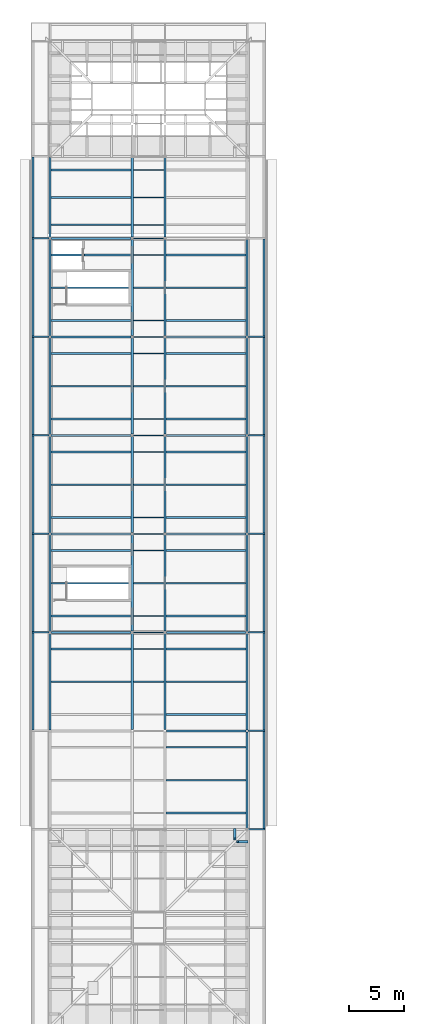
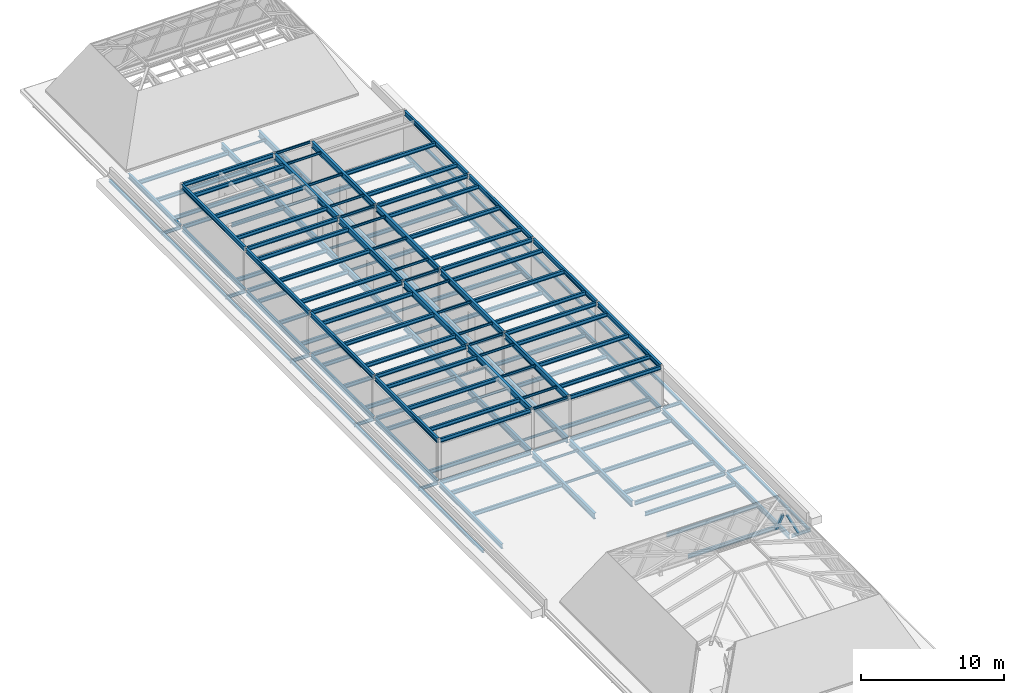
# One storey, part 7 of 29: 177 beams, 2 members.
"""IFC4 building model written with IfcOpenShell, lengths in metres."""

from ifc_helpers import new_model, si_unit, direction, frame, origin, origin_2d, place, context, subcontext, project, spatial, hollow_rectangle, i_section, extrude, material, material_profile, profile_set, type_object, element, save


model = new_model("IFC4")

# Units and contexts
model_context = context("Model", 3, precision=1e-05, world=origin(), true_north=direction((0.0, 1.0)))
body_context = subcontext(model_context, "Body", "Model", "MODEL_VIEW")
ifc_project = project(units=[si_unit("LENGTHUNIT", "METRE"), si_unit("AREAUNIT", "SQUARE_METRE"), si_unit("VOLUMEUNIT", "CUBIC_METRE"), si_unit("PLANEANGLEUNIT", "RADIAN"), si_unit("MASSUNIT", "GRAM", prefix="KILO")], contexts=[model_context])

# Site, building, storey
site_placement = place(None, origin())
site = spatial("IfcSite", under=ifc_project, at=site_placement, CompositionType="ELEMENT")
building_placement = place(site_placement, origin())
building = spatial("IfcBuilding", under=site, at=building_placement, Name="Golden Quay Civic Hall", CompositionType="ELEMENT")
storey_placement = place(building_placement, frame((0.0, 0.0, 27.0)))
storey = spatial("IfcBuildingStorey", under=building, at=storey_placement, Name="L06", CompositionType="ELEMENT", Elevation=27.0)

# Beams
ifc_material_1 = material(Name="Steel S355", Category="steel")
ifc_material_profile_1 = material_profile(ifc_material_1, i_section(OverallWidth=0.199951171875, OverallDepth=0.18994140625, WebThickness=0.006591796875, FlangeThickness=0.010009765625, FilletRadius=0.01806640625, at=origin_2d()), Name="HEA 200")
ifc_profile_set_1 = profile_set([ifc_material_profile_1], Name="Steel S355")
beam_type_1 = type_object("IfcBeamType", Name="Eave edge beam HEA 200", PredefinedType="BEAM", material=ifc_profile_set_1)
for number, where, z_axis, x_axis, name in (
    (1, (-1.550048828125, 18.0673828125, -0.344970703125), (0.0, 1.0, 0.0), (-1.0, 0.0, 0.0), "Eave edge beam HEA 200 L06 4"),
    (2, (-1.550048828125, 27.0673828125, -0.344970703125), (0.0, 1.0, 0.0), (-1.0, 0.0, 0.0), "Eave edge beam HEA 200 L06 5"),
    (3, (-1.550048828125, 36.0673828125, -0.344970703125), (0.0, 1.0, 0.0), (-1.0, 0.0, 0.0), "Eave edge beam HEA 200 L06 6"),
    (4, (-1.550048828125, 45.0673828125, -0.344970703125), (0.0, 1.0, 0.0), (-1.0, 0.0, 0.0), "Eave edge beam HEA 200 L06 7"),
    (5, (-1.550048828125, 54.0673828125, -0.344970703125), (0.0, 1.0, 0.0), (-1.0, 0.0, 0.0), "Eave edge beam HEA 200 L06 8"),
):
    element("IfcBeam", number, at=place(storey_placement, frame(where, z_axis=z_axis, x_axis=x_axis)), inside=storey, type_object=beam_type_1, Name=name, PredefinedType="BEAM", context=body_context, shape_type="SweptSolid", body=[
        extrude(i_section(OverallWidth=0.199951171875, OverallDepth=0.18994140625, WebThickness=0.006591796875, FlangeThickness=0.010009765625, FilletRadius=0.01806640625, at=origin_2d()), origin(), (0.0, 0.0, 1.0), 8.865234375),
    ])
beam_1_placement = place(storey_placement, frame((-1.550048828125, 63.0673828125, -0.344970703125), z_axis=(0.0, 1.0, 0.0), x_axis=(-1.0, 0.0, 0.0)))
element("IfcBeam", 6, at=beam_1_placement, inside=storey, type_object=beam_type_1, Name="Eave edge beam HEA 200 L06 9", PredefinedType="BEAM", context=body_context, shape_type="SweptSolid", body=[
    extrude(i_section(OverallWidth=0.199951171875, OverallDepth=0.18994140625, WebThickness=0.006591796875, FlangeThickness=0.010009765625, FilletRadius=0.01806640625, at=origin_2d()), origin(), (0.0, 0.0, 1.0), 7.365234375),
])
for number, where, z_axis, x_axis, name in (
    (7, (19.550048828125, 9.0673828125, -0.344970703125), (0.0, 1.0, 0.0), (-1.0, 0.0, 0.0), "Eave edge beam HEA 200 L06 17"),
    (8, (19.550048828125, 18.0673828125, -0.344970703125), (0.0, 1.0, 0.0), (-1.0, 0.0, 0.0), "Eave edge beam HEA 200 L06 18"),
    (9, (19.550048828125, 27.0673828125, -0.344970703125), (0.0, 1.0, 0.0), (-1.0, 0.0, 0.0), "Eave edge beam HEA 200 L06 19"),
    (10, (19.550048828125, 36.0673828125, -0.344970703125), (0.0, 1.0, 0.0), (-1.0, 0.0, 0.0), "Eave edge beam HEA 200 L06 20"),
    (11, (19.550048828125, 45.0673828125, -0.344970703125), (0.0, 1.0, 0.0), (-1.0, 0.0, 0.0), "Eave edge beam HEA 200 L06 21"),
    (12, (19.550048828125, 54.0673828125, -0.344970703125), (0.0, 1.0, 0.0), (-1.0, 0.0, 0.0), "Eave edge beam HEA 200 L06 22"),
):
    element("IfcBeam", number, at=place(storey_placement, frame(where, z_axis=z_axis, x_axis=x_axis)), inside=storey, type_object=beam_type_1, Name=name, PredefinedType="BEAM", context=body_context, shape_type="SweptSolid", body=[
        extrude(i_section(OverallWidth=0.199951171875, OverallDepth=0.18994140625, WebThickness=0.006591796875, FlangeThickness=0.010009765625, FilletRadius=0.01806640625, at=origin_2d()), origin(), (0.0, 0.0, 1.0), 8.865234375),
    ])
ifc_material_2 = material(Name="Steel S355", Category="steel")
ifc_material_profile_2 = material_profile(ifc_material_2, i_section(OverallWidth=0.135009765625, OverallDepth=0.27001953125, WebThickness=0.006591796875, FlangeThickness=0.01025390625, FilletRadius=0.014892578125, at=origin_2d()), Name="IPE 270")
ifc_profile_set_2 = profile_set([ifc_material_profile_2], Name="Steel S355")
beam_type_2 = type_object("IfcBeamType", Name="Eave stub IPE 270", PredefinedType="BEAM", material=ifc_profile_set_2)
for number, where, z_axis, x_axis, name in (
    (13, (-0.10009765625, 27.0, -0.385009765625), (-1.0, 0.0, 0.0), (0.0, -1.0, 0.0), "Eave stub IPE 270 L06 5"),
    (14, (-0.10009765625, 36.0, -0.385009765625), (-1.0, 0.0, 0.0), (0.0, -1.0, 0.0), "Eave stub IPE 270 L06 6"),
    (15, (-0.10009765625, 45.0, -0.385009765625), (-1.0, 0.0, 0.0), (0.0, -1.0, 0.0), "Eave stub IPE 270 L06 7"),
    (16, (-0.10009765625, 54.0, -0.385009765625), (-1.0, 0.0, 0.0), (0.0, -1.0, 0.0), "Eave stub IPE 270 L06 8"),
    (17, (-0.10009765625, 63.0, -0.385009765625), (-1.0, 0.0, 0.0), (0.0, -1.0, 0.0), "Eave stub IPE 270 L06 9"),
    (18, (18.10009765625, 9.0, -0.385009765625), (1.0, 0.0, 0.0), (0.0, 1.0, 0.0), "Eave stub IPE 270 L06 19"),
    (19, (18.10009765625, 18.0, -0.385009765625), (1.0, 0.0, 0.0), (0.0, 1.0, 0.0), "Eave stub IPE 270 L06 20"),
    (20, (18.10009765625, 27.0, -0.385009765625), (1.0, 0.0, 0.0), (0.0, 1.0, 0.0), "Eave stub IPE 270 L06 21"),
    (21, (18.10009765625, 36.0, -0.385009765625), (1.0, 0.0, 0.0), (0.0, 1.0, 0.0), "Eave stub IPE 270 L06 22"),
    (22, (18.10009765625, 45.0, -0.385009765625), (1.0, 0.0, 0.0), (0.0, 1.0, 0.0), "Eave stub IPE 270 L06 23"),
    (23, (18.10009765625, 54.0, -0.385009765625), (1.0, 0.0, 0.0), (0.0, 1.0, 0.0), "Eave stub IPE 270 L06 24"),
):
    element("IfcBeam", number, at=place(storey_placement, frame(where, z_axis=z_axis, x_axis=x_axis)), inside=storey, type_object=beam_type_2, Name=name, PredefinedType="BEAM", context=body_context, shape_type="SweptSolid", body=[
        extrude(i_section(OverallWidth=0.135009765625, OverallDepth=0.27001953125, WebThickness=0.006591796875, FlangeThickness=0.01025390625, FilletRadius=0.014892578125, at=origin_2d()), origin(), (0.0, 0.0, 1.0), 1.5498046875),
    ])
ifc_material_3 = material(Name="Steel S355", Category="steel")
ifc_material_profile_3 = material_profile(ifc_material_3, i_section(OverallWidth=0.10009765625, OverallDepth=0.199951171875, WebThickness=0.005615234375, FlangeThickness=0.008544921875, FilletRadius=0.011962890625, at=origin_2d()), Name="IPE 200")
ifc_profile_set_3 = profile_set([ifc_material_profile_3], Name="Steel S355")
beam_type_3 = type_object("IfcBeamType", Name="Steel beam IPE 200", PredefinedType="BEAM", material=ifc_profile_set_3)
for number, where, z_axis, x_axis, name in (
    (24, (7.6201171875, 27.0, -0.35009765625), (1.0, 0.0, 0.0), (0.0, 1.0, 0.0), "Beam S27-7.5"),
    (25, (7.6201171875, 36.0, -0.35009765625), (1.0, 0.0, 0.0), (0.0, 1.0, 0.0), "Beam S36-7.5"),
    (26, (7.6201171875, 45.0, -0.35009765625), (1.0, 0.0, 0.0), (0.0, 1.0, 0.0), "Beam S45-7.5"),
    (27, (7.6201171875, 54.0, -0.35009765625), (1.0, 0.0, 0.0), (0.0, 1.0, 0.0), "Beam S54-7.5"),
    (28, (7.6201171875, 63.0, -0.35009765625), (1.0, 0.0, 0.0), (0.0, 1.0, 0.0), "Beam S63-7.5"),
    (29, (7.6201171875, 27.0, 3.25), (1.0, 0.0, 0.0), (0.0, 1.0, 0.0), "Plant roof tie 27-7.5"),
    (30, (7.6201171875, 36.0, 3.25), (1.0, 0.0, 0.0), (0.0, 1.0, 0.0), "Plant roof tie 36-7.5"),
    (31, (7.6201171875, 45.0, 3.25), (1.0, 0.0, 0.0), (0.0, 1.0, 0.0), "Plant roof tie 45-7.5"),
    (32, (7.6201171875, 54.0, 3.25), (1.0, 0.0, 0.0), (0.0, 1.0, 0.0), "Plant roof tie 54-7.5"),
    (33, (7.6201171875, 63.0, 3.25), (1.0, 0.0, 0.0), (0.0, 1.0, 0.0), "Plant roof tie 63-7.5"),
):
    element("IfcBeam", number, at=place(storey_placement, frame(where, z_axis=z_axis, x_axis=x_axis)), inside=storey, type_object=beam_type_3, Name=name, PredefinedType="BEAM", context=body_context, shape_type="SweptSolid", body=[
        extrude(i_section(OverallWidth=0.10009765625, OverallDepth=0.199951171875, WebThickness=0.005615234375, FlangeThickness=0.008544921875, FilletRadius=0.011962890625, at=origin_2d()), origin(), (0.0, 0.0, 1.0), 2.759765625),
    ])
ifc_material_4 = material(Name="Steel S355", Category="steel")
ifc_material_profile_4 = material_profile(ifc_material_4, i_section(OverallWidth=0.159912109375, OverallDepth=0.330078125, WebThickness=0.007568359375, FlangeThickness=0.011474609375, FilletRadius=0.01806640625, at=origin_2d()), Name="IPE 330")
ifc_profile_set_4 = profile_set([ifc_material_profile_4], Name="Steel S355")
beam_type_4 = type_object("IfcBeamType", Name="Steel beam IPE 330", PredefinedType="BEAM", material=ifc_profile_set_4)
for number, where, z_axis, x_axis, name in (
    (34, (10.6201171875, 18.0, -0.4150390625), (1.0, 0.0, 0.0), (0.0, 1.0, 0.0), "Beam S18-10.5"),
    (35, (0.10009765625, 27.0, -0.4150390625), (1.0, 0.0, 0.0), (0.0, 1.0, 0.0), "Beam S27-0"),
    (36, (10.6201171875, 27.0, -0.4150390625), (1.0, 0.0, 0.0), (0.0, 1.0, 0.0), "Beam S27-10.5"),
    (37, (0.10009765625, 36.0, -0.4150390625), (1.0, 0.0, 0.0), (0.0, 1.0, 0.0), "Beam S36-0"),
    (38, (10.6201171875, 36.0, -0.4150390625), (1.0, 0.0, 0.0), (0.0, 1.0, 0.0), "Beam S36-10.5"),
    (39, (0.10009765625, 45.0, -0.4150390625), (1.0, 0.0, 0.0), (0.0, 1.0, 0.0), "Beam S45-0"),
    (40, (10.6201171875, 45.0, -0.4150390625), (1.0, 0.0, 0.0), (0.0, 1.0, 0.0), "Beam S45-10.5"),
    (41, (0.10009765625, 54.0, -0.4150390625), (1.0, 0.0, 0.0), (0.0, 1.0, 0.0), "Beam S54-0"),
    (42, (10.6201171875, 54.0, -0.4150390625), (1.0, 0.0, 0.0), (0.0, 1.0, 0.0), "Beam S54-10.5"),
    (43, (0.10009765625, 63.0, -0.4150390625), (1.0, 0.0, 0.0), (0.0, 1.0, 0.0), "Beam S63-0"),
    (44, (0.10009765625, 27.0, 3.18505859375), (1.0, 0.0, 0.0), (0.0, 1.0, 0.0), "Plant roof tie 27-0"),
    (45, (10.6201171875, 27.0, 3.18505859375), (1.0, 0.0, 0.0), (0.0, 1.0, 0.0), "Plant roof tie 27-10.5"),
    (46, (0.10009765625, 36.0, 3.18505859375), (1.0, 0.0, 0.0), (0.0, 1.0, 0.0), "Plant roof tie 36-0"),
    (47, (10.6201171875, 36.0, 3.18505859375), (1.0, 0.0, 0.0), (0.0, 1.0, 0.0), "Plant roof tie 36-10.5"),
    (48, (0.10009765625, 45.0, 3.18505859375), (1.0, 0.0, 0.0), (0.0, 1.0, 0.0), "Plant roof tie 45-0"),
    (49, (10.6201171875, 45.0, 3.18505859375), (1.0, 0.0, 0.0), (0.0, 1.0, 0.0), "Plant roof tie 45-10.5"),
    (50, (0.10009765625, 54.0, 3.18505859375), (1.0, 0.0, 0.0), (0.0, 1.0, 0.0), "Plant roof tie 54-0"),
    (51, (10.6201171875, 54.0, 3.18505859375), (1.0, 0.0, 0.0), (0.0, 1.0, 0.0), "Plant roof tie 54-10.5"),
    (52, (0.10009765625, 63.0, 3.18505859375), (1.0, 0.0, 0.0), (0.0, 1.0, 0.0), "Plant roof tie 63-0"),
):
    element("IfcBeam", number, at=place(storey_placement, frame(where, z_axis=z_axis, x_axis=x_axis)), inside=storey, type_object=beam_type_4, Name=name, PredefinedType="BEAM", context=body_context, shape_type="SweptSolid", body=[
        extrude(i_section(OverallWidth=0.159912109375, OverallDepth=0.330078125, WebThickness=0.007568359375, FlangeThickness=0.011474609375, FilletRadius=0.01806640625, at=origin_2d()), origin(), (0.0, 0.0, 1.0), 7.27978515625),
    ])
ifc_material_5 = material(Name="Steel S355", Category="steel")
ifc_material_profile_5 = material_profile(ifc_material_5, i_section(OverallWidth=0.179931640625, OverallDepth=0.39990234375, WebThickness=0.008544921875, FlangeThickness=0.013427734375, FilletRadius=0.02099609375, at=origin_2d()), Name="IPE 400")
ifc_profile_set_5 = profile_set([ifc_material_profile_5], Name="Steel S355")
beam_type_5 = type_object("IfcBeamType", Name="Steel beam IPE 400", PredefinedType="BEAM", material=ifc_profile_set_5)
for number, where, z_axis, x_axis, name in (
    (53, (0.0, 18.094970703125, -0.449951171875), (0.0, 1.0, 0.0), (-1.0, 0.0, 0.0), "Beam L0-18"),
    (54, (0.0, 27.094970703125, -0.449951171875), (0.0, 1.0, 0.0), (-1.0, 0.0, 0.0), "Beam L0-27"),
    (55, (0.0, 36.094970703125, -0.449951171875), (0.0, 1.0, 0.0), (-1.0, 0.0, 0.0), "Beam L0-36"),
    (56, (0.0, 45.094970703125, -0.449951171875), (0.0, 1.0, 0.0), (-1.0, 0.0, 0.0), "Beam L0-45"),
    (57, (0.0, 54.094970703125, -0.449951171875), (0.0, 1.0, 0.0), (-1.0, 0.0, 0.0), "Beam L0-54"),
):
    element("IfcBeam", number, at=place(storey_placement, frame(where, z_axis=z_axis, x_axis=x_axis)), inside=storey, type_object=beam_type_5, Name=name, PredefinedType="BEAM", context=body_context, shape_type="SweptSolid", body=[
        extrude(i_section(OverallWidth=0.179931640625, OverallDepth=0.39990234375, WebThickness=0.008544921875, FlangeThickness=0.013427734375, FilletRadius=0.02099609375, at=origin_2d()), origin(), (0.0, 0.0, 1.0), 8.81005859375),
    ])
beam_2_placement = place(storey_placement, frame((0.0, 63.094970703125, -0.449951171875), z_axis=(0.0, 1.0, 0.0), x_axis=(-1.0, 0.0, 0.0)))
element("IfcBeam", 58, at=beam_2_placement, inside=storey, type_object=beam_type_5, Name="Beam L0-63", PredefinedType="BEAM", context=body_context, shape_type="SweptSolid", body=[
    extrude(i_section(OverallWidth=0.179931640625, OverallDepth=0.39990234375, WebThickness=0.008544921875, FlangeThickness=0.013427734375, FilletRadius=0.02099609375, at=origin_2d()), origin(), (0.0, 0.0, 1.0), 7.31005859375),
])
for number, where, z_axis, x_axis, name in (
    (59, (18.0, 9.094970703125, -0.449951171875), (0.0, 1.0, 0.0), (-1.0, 0.0, 0.0), "Beam L18-9"),
    (60, (18.0, 18.094970703125, -0.449951171875), (0.0, 1.0, 0.0), (-1.0, 0.0, 0.0), "Beam L18-18"),
    (61, (18.0, 27.094970703125, -0.449951171875), (0.0, 1.0, 0.0), (-1.0, 0.0, 0.0), "Beam L18-27"),
    (62, (18.0, 36.094970703125, -0.449951171875), (0.0, 1.0, 0.0), (-1.0, 0.0, 0.0), "Beam L18-36"),
    (63, (18.0, 45.094970703125, -0.449951171875), (0.0, 1.0, 0.0), (-1.0, 0.0, 0.0), "Beam L18-45"),
    (64, (18.0, 54.094970703125, -0.449951171875), (0.0, 1.0, 0.0), (-1.0, 0.0, 0.0), "Beam L18-54"),
    (65, (0.0, 27.094970703125, 3.14990234375), (0.0, 1.0, 0.0), (-1.0, 0.0, 0.0), "Plant roof beam 0-27"),
    (66, (0.0, 36.094970703125, 3.14990234375), (0.0, 1.0, 0.0), (-1.0, 0.0, 0.0), "Plant roof beam 0-36"),
    (67, (0.0, 45.094970703125, 3.14990234375), (0.0, 1.0, 0.0), (-1.0, 0.0, 0.0), "Plant roof beam 0-45"),
    (68, (0.0, 54.094970703125, 3.14990234375), (0.0, 1.0, 0.0), (-1.0, 0.0, 0.0), "Plant roof beam 0-54"),
    (69, (18.0, 27.094970703125, 3.14990234375), (0.0, 1.0, 0.0), (-1.0, 0.0, 0.0), "Plant roof beam 18-27"),
    (70, (18.0, 36.094970703125, 3.14990234375), (0.0, 1.0, 0.0), (-1.0, 0.0, 0.0), "Plant roof beam 18-36"),
    (71, (18.0, 45.094970703125, 3.14990234375), (0.0, 1.0, 0.0), (-1.0, 0.0, 0.0), "Plant roof beam 18-45"),
    (72, (18.0, 54.094970703125, 3.14990234375), (0.0, 1.0, 0.0), (-1.0, 0.0, 0.0), "Plant roof beam 18-54"),
):
    element("IfcBeam", number, at=place(storey_placement, frame(where, z_axis=z_axis, x_axis=x_axis)), inside=storey, type_object=beam_type_5, Name=name, PredefinedType="BEAM", context=body_context, shape_type="SweptSolid", body=[
        extrude(i_section(OverallWidth=0.179931640625, OverallDepth=0.39990234375, WebThickness=0.008544921875, FlangeThickness=0.013427734375, FilletRadius=0.02099609375, at=origin_2d()), origin(), (0.0, 0.0, 1.0), 8.81005859375),
    ])
ifc_material_6 = material(Name="Steel S355", Category="steel")
ifc_material_profile_6 = material_profile(ifc_material_6, i_section(OverallWidth=0.199951171875, OverallDepth=0.5, WebThickness=0.01025390625, FlangeThickness=0.01611328125, FilletRadius=0.02099609375, at=origin_2d()), Name="IPE 500")
ifc_profile_set_6 = profile_set([ifc_material_profile_6], Name="Steel S355")
beam_type_6 = type_object("IfcBeamType", Name="Steel beam IPE 500", PredefinedType="BEAM", material=ifc_profile_set_6)
for number, where, z_axis, x_axis, name in (
    (73, (7.5, 18.114990234375, -0.5), (0.0, 1.0, 0.0), (-1.0, 0.0, 0.0), "Beam L7.5-18"),
    (74, (7.5, 27.114990234375, -0.5), (0.0, 1.0, 0.0), (-1.0, 0.0, 0.0), "Beam L7.5-27"),
    (75, (7.5, 36.114990234375, -0.5), (0.0, 1.0, 0.0), (-1.0, 0.0, 0.0), "Beam L7.5-36"),
    (76, (7.5, 45.114990234375, -0.5), (0.0, 1.0, 0.0), (-1.0, 0.0, 0.0), "Beam L7.5-45"),
    (77, (7.5, 54.114990234375, -0.5), (0.0, 1.0, 0.0), (-1.0, 0.0, 0.0), "Beam L7.5-54"),
):
    element("IfcBeam", number, at=place(storey_placement, frame(where, z_axis=z_axis, x_axis=x_axis)), inside=storey, type_object=beam_type_6, Name=name, PredefinedType="BEAM", context=body_context, shape_type="SweptSolid", body=[
        extrude(i_section(OverallWidth=0.199951171875, OverallDepth=0.5, WebThickness=0.01025390625, FlangeThickness=0.01611328125, FilletRadius=0.02099609375, at=origin_2d()), origin(), (0.0, 0.0, 1.0), 8.77001953125),
    ])
beam_3_placement = place(storey_placement, frame((7.5, 63.114990234375, -0.5), z_axis=(0.0, 1.0, 0.0), x_axis=(-1.0, 0.0, 0.0)))
element("IfcBeam", 78, at=beam_3_placement, inside=storey, type_object=beam_type_6, Name="Beam L7.5-63", PredefinedType="BEAM", context=body_context, shape_type="SweptSolid", body=[
    extrude(i_section(OverallWidth=0.199951171875, OverallDepth=0.5, WebThickness=0.01025390625, FlangeThickness=0.01611328125, FilletRadius=0.02099609375, at=origin_2d()), origin(), (0.0, 0.0, 1.0), 7.27001953125),
])
for number, where, z_axis, x_axis, name in (
    (79, (10.5, 18.114990234375, -0.5), (0.0, 1.0, 0.0), (-1.0, 0.0, 0.0), "Beam L10.5-18"),
    (80, (10.5, 27.114990234375, -0.5), (0.0, 1.0, 0.0), (-1.0, 0.0, 0.0), "Beam L10.5-27"),
    (81, (10.5, 36.114990234375, -0.5), (0.0, 1.0, 0.0), (-1.0, 0.0, 0.0), "Beam L10.5-36"),
    (82, (10.5, 45.114990234375, -0.5), (0.0, 1.0, 0.0), (-1.0, 0.0, 0.0), "Beam L10.5-45"),
    (83, (10.5, 54.114990234375, -0.5), (0.0, 1.0, 0.0), (-1.0, 0.0, 0.0), "Beam L10.5-54"),
):
    element("IfcBeam", number, at=place(storey_placement, frame(where, z_axis=z_axis, x_axis=x_axis)), inside=storey, type_object=beam_type_6, Name=name, PredefinedType="BEAM", context=body_context, shape_type="SweptSolid", body=[
        extrude(i_section(OverallWidth=0.199951171875, OverallDepth=0.5, WebThickness=0.01025390625, FlangeThickness=0.01611328125, FilletRadius=0.02099609375, at=origin_2d()), origin(), (0.0, 0.0, 1.0), 8.77001953125),
    ])
beam_4_placement = place(storey_placement, frame((10.5, 63.114990234375, -0.5), z_axis=(0.0, 1.0, 0.0), x_axis=(-1.0, 0.0, 0.0)))
element("IfcBeam", 84, at=beam_4_placement, inside=storey, type_object=beam_type_6, Name="Beam L10.5-63", PredefinedType="BEAM", context=body_context, shape_type="SweptSolid", body=[
    extrude(i_section(OverallWidth=0.199951171875, OverallDepth=0.5, WebThickness=0.01025390625, FlangeThickness=0.01611328125, FilletRadius=0.02099609375, at=origin_2d()), origin(), (0.0, 0.0, 1.0), 7.27001953125),
])
for number, where, z_axis, x_axis, name in (
    (85, (7.5, 27.114990234375, 3.10009765625), (0.0, 1.0, 0.0), (-1.0, 0.0, 0.0), "Plant roof beam 7.5-27"),
    (86, (7.5, 36.114990234375, 3.10009765625), (0.0, 1.0, 0.0), (-1.0, 0.0, 0.0), "Plant roof beam 7.5-36"),
    (87, (7.5, 45.114990234375, 3.10009765625), (0.0, 1.0, 0.0), (-1.0, 0.0, 0.0), "Plant roof beam 7.5-45"),
    (88, (7.5, 54.114990234375, 3.10009765625), (0.0, 1.0, 0.0), (-1.0, 0.0, 0.0), "Plant roof beam 7.5-54"),
    (89, (10.5, 27.114990234375, 3.10009765625), (0.0, 1.0, 0.0), (-1.0, 0.0, 0.0), "Plant roof beam 10.5-27"),
    (90, (10.5, 36.114990234375, 3.10009765625), (0.0, 1.0, 0.0), (-1.0, 0.0, 0.0), "Plant roof beam 10.5-36"),
    (91, (10.5, 45.114990234375, 3.10009765625), (0.0, 1.0, 0.0), (-1.0, 0.0, 0.0), "Plant roof beam 10.5-45"),
    (92, (10.5, 54.114990234375, 3.10009765625), (0.0, 1.0, 0.0), (-1.0, 0.0, 0.0), "Plant roof beam 10.5-54"),
):
    element("IfcBeam", number, at=place(storey_placement, frame(where, z_axis=z_axis, x_axis=x_axis)), inside=storey, type_object=beam_type_6, Name=name, PredefinedType="BEAM", context=body_context, shape_type="SweptSolid", body=[
        extrude(i_section(OverallWidth=0.199951171875, OverallDepth=0.5, WebThickness=0.01025390625, FlangeThickness=0.01611328125, FilletRadius=0.02099609375, at=origin_2d()), origin(), (0.0, 0.0, 1.0), 8.77001953125),
    ])

# Members
ifc_material_7 = material(Name="Steel S355", Category="steel")
ifc_material_profile_7 = material_profile(ifc_material_7, hollow_rectangle(XDim=0.199951171875, YDim=0.199951171875, WallThickness=0.010009765625, at=origin_2d()), Name="SHS 200x200x10")
ifc_profile_set_7 = profile_set([ifc_material_profile_7], Name="Steel S355")
member_type = type_object("IfcMemberType", Name="Steel jack rafter SHS 200x200x10", PredefinedType="RAFTER", material=ifc_profile_set_7)
for number, where, z_axis, x_axis, name in (
    (93, (16.875, 9.0, 0.6748046875), (0.0, -0.4472135955, 0.894427191), (1.0, 0.0, 0.0), "Jack rafter WO-S north 8"),
    (94, (18.0, 7.875, 0.6748046875), (-0.4472135955, 0.0, 0.894427191), (0.0, -1.0, 0.0), "Jack rafter WO-S east 8"),
):
    element("IfcMember", number, at=place(storey_placement, frame(where, z_axis=z_axis, x_axis=x_axis)), inside=storey, type_object=member_type, Name=name, PredefinedType="RAFTER", context=body_context, shape_type="SweptSolid", body=[
        extrude(hollow_rectangle(XDim=0.199951171875, YDim=0.199951171875, WallThickness=0.010009765625, at=origin_2d()), origin(), (0.0, 0.0, 1.0), 1.95654296875),
    ])

# Beams
ifc_material_8 = material(Name="Steel S355", Category="steel")
ifc_material_profile_8 = material_profile(ifc_material_8, i_section(OverallWidth=0.10009765625, OverallDepth=0.199951171875, WebThickness=0.005615234375, FlangeThickness=0.008544921875, FilletRadius=0.011962890625, at=origin_2d()), Name="IPE 200")
ifc_profile_set_8 = profile_set([ifc_material_profile_8], Name="Steel S355")
beam_type_7 = type_object("IfcBeamType", Name="Steel joist IPE 200", PredefinedType="JOIST", material=ifc_profile_set_8)
for number, where, z_axis, x_axis, name in (
    (95, (7.60009765625, 22.5, -0.35009765625), (1.0, 0.0, 0.0), (0.0, 1.0, 0.0), "Joist J22.5-7.5"),
    (96, (7.60009765625, 25.5, -0.35009765625), (1.0, 0.0, 0.0), (0.0, 1.0, 0.0), "Joist J25.5-7.5"),
    (97, (7.60009765625, 28.5, -0.35009765625), (1.0, 0.0, 0.0), (0.0, 1.0, 0.0), "Joist J28.5-7.5"),
    (98, (7.60009765625, 31.5, -0.35009765625), (1.0, 0.0, 0.0), (0.0, 1.0, 0.0), "Joist J31.5-7.5"),
    (99, (7.60009765625, 34.5, -0.35009765625), (1.0, 0.0, 0.0), (0.0, 1.0, 0.0), "Joist J34.5-7.5"),
    (100, (7.60009765625, 37.5, -0.35009765625), (1.0, 0.0, 0.0), (0.0, 1.0, 0.0), "Joist J37.5-7.5"),
    (101, (7.60009765625, 40.5, -0.35009765625), (1.0, 0.0, 0.0), (0.0, 1.0, 0.0), "Joist J40.5-7.5"),
    (102, (7.60009765625, 43.5, -0.35009765625), (1.0, 0.0, 0.0), (0.0, 1.0, 0.0), "Joist J43.5-7.5"),
    (103, (7.60009765625, 46.5, -0.35009765625), (1.0, 0.0, 0.0), (0.0, 1.0, 0.0), "Joist J46.5-7.5"),
    (104, (7.60009765625, 49.5, -0.35009765625), (1.0, 0.0, 0.0), (0.0, 1.0, 0.0), "Joist J49.5-7.5"),
    (105, (7.60009765625, 52.5, -0.35009765625), (1.0, 0.0, 0.0), (0.0, 1.0, 0.0), "Joist J52.5-7.5"),
    (106, (7.60009765625, 55.5, -0.35009765625), (1.0, 0.0, 0.0), (0.0, 1.0, 0.0), "Joist J55.5-7.5"),
    (107, (7.60009765625, 58.5, -0.35009765625), (1.0, 0.0, 0.0), (0.0, 1.0, 0.0), "Joist J58.5-7.5"),
    (108, (7.60009765625, 61.5, -0.35009765625), (1.0, 0.0, 0.0), (0.0, 1.0, 0.0), "Joist J61.5-7.5"),
    (109, (7.60009765625, 64.25, -0.35009765625), (1.0, 0.0, 0.0), (0.0, 1.0, 0.0), "Joist J64.25-7.5"),
    (110, (7.60009765625, 66.75, -0.35009765625), (1.0, 0.0, 0.0), (0.0, 1.0, 0.0), "Joist J66.75-7.5"),
    (111, (7.60009765625, 69.25, -0.35009765625), (1.0, 0.0, 0.0), (0.0, 1.0, 0.0), "Joist J69.25-7.5"),
    (112, (7.60009765625, 28.5, 3.25), (1.0, 0.0, 0.0), (0.0, 1.0, 0.0), "Plant roof joist 28.5-7.5"),
    (113, (7.60009765625, 31.5, 3.25), (1.0, 0.0, 0.0), (0.0, 1.0, 0.0), "Plant roof joist 31.5-7.5"),
    (114, (7.60009765625, 34.5, 3.25), (1.0, 0.0, 0.0), (0.0, 1.0, 0.0), "Plant roof joist 34.5-7.5"),
    (115, (7.60009765625, 37.5, 3.25), (1.0, 0.0, 0.0), (0.0, 1.0, 0.0), "Plant roof joist 37.5-7.5"),
    (116, (7.60009765625, 40.5, 3.25), (1.0, 0.0, 0.0), (0.0, 1.0, 0.0), "Plant roof joist 40.5-7.5"),
    (117, (7.60009765625, 43.5, 3.25), (1.0, 0.0, 0.0), (0.0, 1.0, 0.0), "Plant roof joist 43.5-7.5"),
    (118, (7.60009765625, 46.5, 3.25), (1.0, 0.0, 0.0), (0.0, 1.0, 0.0), "Plant roof joist 46.5-7.5"),
    (119, (7.60009765625, 49.5, 3.25), (1.0, 0.0, 0.0), (0.0, 1.0, 0.0), "Plant roof joist 49.5-7.5"),
    (120, (7.60009765625, 52.5, 3.25), (1.0, 0.0, 0.0), (0.0, 1.0, 0.0), "Plant roof joist 52.5-7.5"),
    (121, (7.60009765625, 55.5, 3.25), (1.0, 0.0, 0.0), (0.0, 1.0, 0.0), "Plant roof joist 55.5-7.5"),
    (122, (7.60009765625, 58.5, 3.25), (1.0, 0.0, 0.0), (0.0, 1.0, 0.0), "Plant roof joist 58.5-7.5"),
    (123, (7.60009765625, 61.5, 3.25), (1.0, 0.0, 0.0), (0.0, 1.0, 0.0), "Plant roof joist 61.5-7.5"),
):
    element("IfcBeam", number, at=place(storey_placement, frame(where, z_axis=z_axis, x_axis=x_axis)), inside=storey, type_object=beam_type_7, Name=name, PredefinedType="JOIST", context=body_context, shape_type="SweptSolid", body=[
        extrude(i_section(OverallWidth=0.10009765625, OverallDepth=0.199951171875, WebThickness=0.005615234375, FlangeThickness=0.008544921875, FilletRadius=0.011962890625, at=origin_2d()), origin(), (0.0, 0.0, 1.0), 2.7998046875),
    ])
ifc_material_9 = material(Name="Steel S355", Category="steel")
ifc_material_profile_9 = material_profile(ifc_material_9, i_section(OverallWidth=0.159912109375, OverallDepth=0.330078125, WebThickness=0.007568359375, FlangeThickness=0.011474609375, FilletRadius=0.01806640625, at=origin_2d()), Name="IPE 330")
ifc_profile_set_9 = profile_set([ifc_material_profile_9], Name="Steel S355")
beam_type_8 = type_object("IfcBeamType", Name="Steel joist IPE 330", PredefinedType="JOIST", material=ifc_profile_set_9)
for number, where, z_axis, x_axis, name in (
    (124, (10.60009765625, 10.5, -0.4150390625), (1.0, 0.0, 0.0), (0.0, 1.0, 0.0), "Joist J10.5-10.5"),
    (125, (10.60009765625, 13.5, -0.4150390625), (1.0, 0.0, 0.0), (0.0, 1.0, 0.0), "Joist J13.5-10.5"),
    (126, (10.60009765625, 16.5, -0.4150390625), (1.0, 0.0, 0.0), (0.0, 1.0, 0.0), "Joist J16.5-10.5"),
    (127, (10.60009765625, 19.5, -0.4150390625), (1.0, 0.0, 0.0), (0.0, 1.0, 0.0), "Joist J19.5-10.5"),
    (128, (0.090087890625, 22.5, -0.4150390625), (1.0, 0.0, 0.0), (0.0, 1.0, 0.0), "Joist J22.5-0"),
    (129, (10.60009765625, 22.5, -0.4150390625), (1.0, 0.0, 0.0), (0.0, 1.0, 0.0), "Joist J22.5-10.5"),
    (130, (0.090087890625, 25.5, -0.4150390625), (1.0, 0.0, 0.0), (0.0, 1.0, 0.0), "Joist J25.5-0"),
    (131, (10.60009765625, 25.5, -0.4150390625), (1.0, 0.0, 0.0), (0.0, 1.0, 0.0), "Joist J25.5-10.5"),
    (132, (0.090087890625, 28.5, -0.4150390625), (1.0, 0.0, 0.0), (0.0, 1.0, 0.0), "Joist J28.5-0"),
    (133, (10.60009765625, 28.5, -0.4150390625), (1.0, 0.0, 0.0), (0.0, 1.0, 0.0), "Joist J28.5-10.5"),
    (134, (10.60009765625, 31.5, -0.4150390625), (1.0, 0.0, 0.0), (0.0, 1.0, 0.0), "Joist J31.5-10.5"),
    (135, (0.090087890625, 34.5, -0.4150390625), (1.0, 0.0, 0.0), (0.0, 1.0, 0.0), "Joist J34.5-0"),
    (136, (10.60009765625, 34.5, -0.4150390625), (1.0, 0.0, 0.0), (0.0, 1.0, 0.0), "Joist J34.5-10.5"),
    (137, (0.090087890625, 37.5, -0.4150390625), (1.0, 0.0, 0.0), (0.0, 1.0, 0.0), "Joist J37.5-0"),
    (138, (10.60009765625, 37.5, -0.4150390625), (1.0, 0.0, 0.0), (0.0, 1.0, 0.0), "Joist J37.5-10.5"),
    (139, (0.090087890625, 40.5, -0.4150390625), (1.0, 0.0, 0.0), (0.0, 1.0, 0.0), "Joist J40.5-0"),
    (140, (10.60009765625, 40.5, -0.4150390625), (1.0, 0.0, 0.0), (0.0, 1.0, 0.0), "Joist J40.5-10.5"),
    (141, (0.090087890625, 43.5, -0.4150390625), (1.0, 0.0, 0.0), (0.0, 1.0, 0.0), "Joist J43.5-0"),
    (142, (10.60009765625, 43.5, -0.4150390625), (1.0, 0.0, 0.0), (0.0, 1.0, 0.0), "Joist J43.5-10.5"),
    (143, (0.090087890625, 46.5, -0.4150390625), (1.0, 0.0, 0.0), (0.0, 1.0, 0.0), "Joist J46.5-0"),
    (144, (10.60009765625, 46.5, -0.4150390625), (1.0, 0.0, 0.0), (0.0, 1.0, 0.0), "Joist J46.5-10.5"),
    (145, (0.090087890625, 49.5, -0.4150390625), (1.0, 0.0, 0.0), (0.0, 1.0, 0.0), "Joist J49.5-0"),
    (146, (10.60009765625, 49.5, -0.4150390625), (1.0, 0.0, 0.0), (0.0, 1.0, 0.0), "Joist J49.5-10.5"),
    (147, (0.090087890625, 52.5, -0.4150390625), (1.0, 0.0, 0.0), (0.0, 1.0, 0.0), "Joist J52.5-0"),
    (148, (10.60009765625, 52.5, -0.4150390625), (1.0, 0.0, 0.0), (0.0, 1.0, 0.0), "Joist J52.5-10.5"),
    (149, (0.090087890625, 55.5, -0.4150390625), (1.0, 0.0, 0.0), (0.0, 1.0, 0.0), "Joist J55.5-0"),
    (150, (10.60009765625, 55.5, -0.4150390625), (1.0, 0.0, 0.0), (0.0, 1.0, 0.0), "Joist J55.5-10.5"),
    (151, (10.60009765625, 58.5, -0.4150390625), (1.0, 0.0, 0.0), (0.0, 1.0, 0.0), "Joist J58.5-10.5"),
):
    element("IfcBeam", number, at=place(storey_placement, frame(where, z_axis=z_axis, x_axis=x_axis)), inside=storey, type_object=beam_type_8, Name=name, PredefinedType="JOIST", context=body_context, shape_type="SweptSolid", body=[
        extrude(i_section(OverallWidth=0.159912109375, OverallDepth=0.330078125, WebThickness=0.007568359375, FlangeThickness=0.011474609375, FilletRadius=0.01806640625, at=origin_2d()), origin(), (0.0, 0.0, 1.0), 7.309814453125),
    ])
beam_5_placement = place(storey_placement, frame((3.14990234375, 61.5, -0.4150390625), z_axis=(1.0, 0.0, 0.0), x_axis=(0.0, 1.0, 0.0)))
element("IfcBeam", 152, at=beam_5_placement, inside=storey, type_object=beam_type_8, Name="Joist J61.5-0-1", PredefinedType="JOIST", context=body_context, shape_type="SweptSolid", body=[
    extrude(i_section(OverallWidth=0.159912109375, OverallDepth=0.330078125, WebThickness=0.007568359375, FlangeThickness=0.011474609375, FilletRadius=0.01806640625, at=origin_2d()), origin(), (0.0, 0.0, 1.0), 4.25),
])
for number, where, z_axis, x_axis, name in (
    (153, (10.60009765625, 61.5, -0.4150390625), (1.0, 0.0, 0.0), (0.0, 1.0, 0.0), "Joist J61.5-10.5"),
    (154, (0.090087890625, 64.25, -0.4150390625), (1.0, 0.0, 0.0), (0.0, 1.0, 0.0), "Joist J64.25-0"),
    (155, (0.090087890625, 66.75, -0.4150390625), (1.0, 0.0, 0.0), (0.0, 1.0, 0.0), "Joist J66.75-0"),
    (156, (0.090087890625, 69.25, -0.4150390625), (1.0, 0.0, 0.0), (0.0, 1.0, 0.0), "Joist J69.25-0"),
    (157, (0.090087890625, 28.5, 3.18505859375), (1.0, 0.0, 0.0), (0.0, 1.0, 0.0), "Plant roof joist 28.5-0"),
    (158, (10.60009765625, 28.5, 3.18505859375), (1.0, 0.0, 0.0), (0.0, 1.0, 0.0), "Plant roof joist 28.5-10.5"),
    (159, (0.090087890625, 31.5, 3.18505859375), (1.0, 0.0, 0.0), (0.0, 1.0, 0.0), "Plant roof joist 31.5-0"),
    (160, (10.60009765625, 31.5, 3.18505859375), (1.0, 0.0, 0.0), (0.0, 1.0, 0.0), "Plant roof joist 31.5-10.5"),
    (161, (0.090087890625, 34.5, 3.18505859375), (1.0, 0.0, 0.0), (0.0, 1.0, 0.0), "Plant roof joist 34.5-0"),
    (162, (10.60009765625, 34.5, 3.18505859375), (1.0, 0.0, 0.0), (0.0, 1.0, 0.0), "Plant roof joist 34.5-10.5"),
    (163, (0.090087890625, 37.5, 3.18505859375), (1.0, 0.0, 0.0), (0.0, 1.0, 0.0), "Plant roof joist 37.5-0"),
    (164, (10.60009765625, 37.5, 3.18505859375), (1.0, 0.0, 0.0), (0.0, 1.0, 0.0), "Plant roof joist 37.5-10.5"),
    (165, (0.090087890625, 40.5, 3.18505859375), (1.0, 0.0, 0.0), (0.0, 1.0, 0.0), "Plant roof joist 40.5-0"),
    (166, (10.60009765625, 40.5, 3.18505859375), (1.0, 0.0, 0.0), (0.0, 1.0, 0.0), "Plant roof joist 40.5-10.5"),
    (167, (0.090087890625, 43.5, 3.18505859375), (1.0, 0.0, 0.0), (0.0, 1.0, 0.0), "Plant roof joist 43.5-0"),
    (168, (10.60009765625, 43.5, 3.18505859375), (1.0, 0.0, 0.0), (0.0, 1.0, 0.0), "Plant roof joist 43.5-10.5"),
    (169, (0.090087890625, 46.5, 3.18505859375), (1.0, 0.0, 0.0), (0.0, 1.0, 0.0), "Plant roof joist 46.5-0"),
    (170, (10.60009765625, 46.5, 3.18505859375), (1.0, 0.0, 0.0), (0.0, 1.0, 0.0), "Plant roof joist 46.5-10.5"),
    (171, (0.090087890625, 49.5, 3.18505859375), (1.0, 0.0, 0.0), (0.0, 1.0, 0.0), "Plant roof joist 49.5-0"),
    (172, (10.60009765625, 49.5, 3.18505859375), (1.0, 0.0, 0.0), (0.0, 1.0, 0.0), "Plant roof joist 49.5-10.5"),
    (173, (0.090087890625, 52.5, 3.18505859375), (1.0, 0.0, 0.0), (0.0, 1.0, 0.0), "Plant roof joist 52.5-0"),
    (174, (10.60009765625, 52.5, 3.18505859375), (1.0, 0.0, 0.0), (0.0, 1.0, 0.0), "Plant roof joist 52.5-10.5"),
    (175, (0.090087890625, 55.5, 3.18505859375), (1.0, 0.0, 0.0), (0.0, 1.0, 0.0), "Plant roof joist 55.5-0"),
    (176, (10.60009765625, 55.5, 3.18505859375), (1.0, 0.0, 0.0), (0.0, 1.0, 0.0), "Plant roof joist 55.5-10.5"),
    (177, (0.090087890625, 58.5, 3.18505859375), (1.0, 0.0, 0.0), (0.0, 1.0, 0.0), "Plant roof joist 58.5-0"),
    (178, (10.60009765625, 58.5, 3.18505859375), (1.0, 0.0, 0.0), (0.0, 1.0, 0.0), "Plant roof joist 58.5-10.5"),
    (179, (0.090087890625, 61.5, 3.18505859375), (1.0, 0.0, 0.0), (0.0, 1.0, 0.0), "Plant roof joist 61.5-0"),
):
    element("IfcBeam", number, at=place(storey_placement, frame(where, z_axis=z_axis, x_axis=x_axis)), inside=storey, type_object=beam_type_8, Name=name, PredefinedType="JOIST", context=body_context, shape_type="SweptSolid", body=[
        extrude(i_section(OverallWidth=0.159912109375, OverallDepth=0.330078125, WebThickness=0.007568359375, FlangeThickness=0.011474609375, FilletRadius=0.01806640625, at=origin_2d()), origin(), (0.0, 0.0, 1.0), 7.309814453125),
    ])

save(model, "model.ifc")
